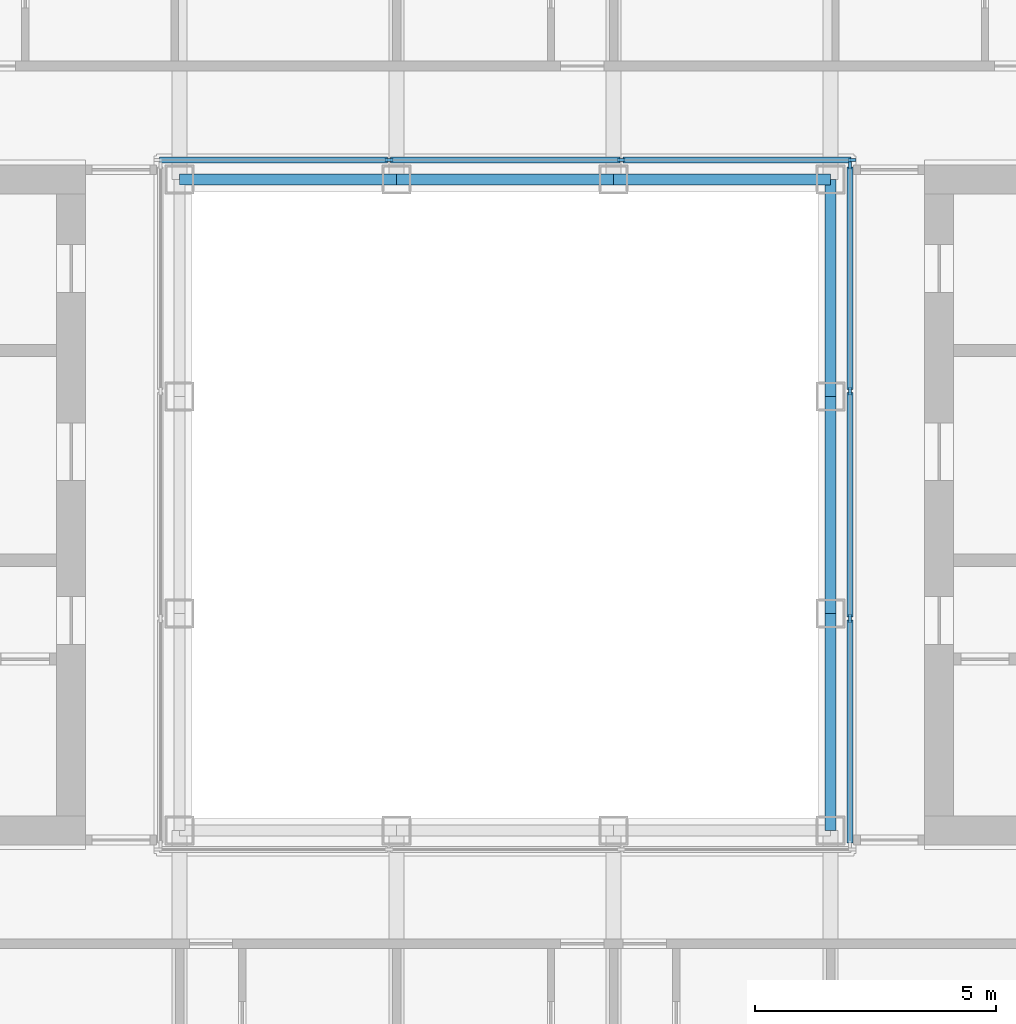
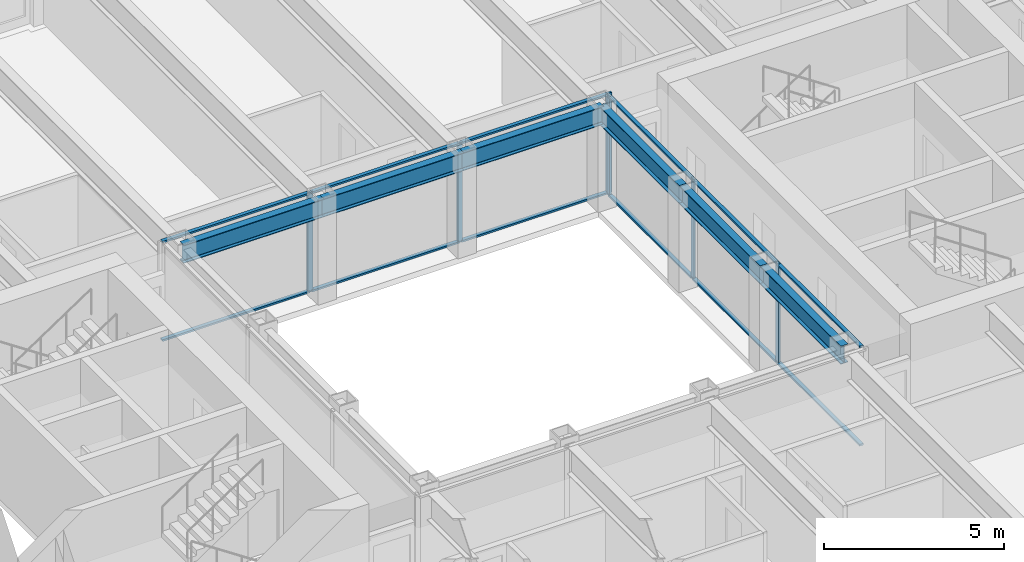
# One storey, part 5 of 17: 18 members, 6 beams, 2 elements without a shape of their own.
"""IFC4 building model written with IfcOpenShell, lengths in metres."""

from ifc_helpers import new_model, si_unit, direction, frame, origin, origin_2d, place, context, subcontext, project, spatial, rectangle, i_section, extrude, material, material_profile, profile_set, type_object, element, aggregate, save


model = new_model("IFC4")

# Units and contexts
model_context = context("Model", 3, precision=1e-05, world=origin(), true_north=direction((0.0, 1.0)))
body_context = subcontext(model_context, "Body", "Model", "MODEL_VIEW")
ifc_project = project(units=[si_unit("LENGTHUNIT", "METRE"), si_unit("AREAUNIT", "SQUARE_METRE"), si_unit("VOLUMEUNIT", "CUBIC_METRE"), si_unit("PLANEANGLEUNIT", "RADIAN"), si_unit("MASSUNIT", "GRAM", prefix="KILO")], contexts=[model_context])

# Site, building, storey
site_placement = place(None, origin())
site = spatial("IfcSite", under=ifc_project, at=site_placement, CompositionType="ELEMENT")
building_placement = place(site_placement, origin())
building = spatial("IfcBuilding", under=site, at=building_placement, Name="Msasa Ring Tower", CompositionType="ELEMENT")
storey_placement = place(building_placement, frame((0.0, 0.0, 150.800048828125)))
storey = spatial("IfcBuildingStorey", under=building, at=storey_placement, Name="L39", CompositionType="ELEMENT", Elevation=150.800048828125)

# Curtain wall, members
ifc_material_1 = material(Name="Aluminium curtain wall with clear glass", Category="aluminium")
curtain_wall_type = type_object("IfcCurtainWallType", Name="CW-W LIGHT WELL CURTAIN WALL", PredefinedType="NOTDEFINED", material=ifc_material_1)
curtain_wall_1_placement = place(storey_placement, origin())
curtain_wall_1 = element("IfcCurtainWall", 1, at=curtain_wall_1_placement, inside=storey, type_object=curtain_wall_type, Name="Light well curtain wall N L39", PredefinedType="NOTDEFINED")
ifc_material_2 = material(Name="Aluminium mullion", Category="aluminium")
ifc_material_profile_1 = material_profile(ifc_material_2, rectangle(XDim=0.06005859375, YDim=0.159912109375, at=origin_2d()), Name="AL 60x160")
ifc_profile_set_1 = profile_set([ifc_material_profile_1], Name="Aluminium mullion")
member_type_1 = type_object("IfcMemberType", Name="CW-W MULLION 60x160", PredefinedType="MULLION", material=ifc_profile_set_1)
member_1_placement = place(storey_placement, frame((-2.409912109375, 7.14990234375, 0.0), z_axis=(0.0, 0.0, 1.0), x_axis=(0.0, 1.0, 0.0)))
member_1 = element("IfcMember", 2, at=member_1_placement, type_object=member_type_1, Name="CW-W mullion 2", PredefinedType="MULLION", context=body_context, shape_type="SweptSolid", body=[
    extrude(rectangle(XDim=0.06005859375, YDim=0.159912109375, at=origin_2d()), origin(), (0.0, 0.0, 1.0), 3.39990234375),
])
member_2_placement = place(storey_placement, frame((2.409912109375, 7.14990234375, 0.0), z_axis=(0.0, 0.0, 1.0), x_axis=(0.0, 1.0, 0.0)))
member_2 = element("IfcMember", 3, at=member_2_placement, type_object=member_type_1, Name="CW-W mullion 3", PredefinedType="MULLION", context=body_context, shape_type="SweptSolid", body=[
    extrude(rectangle(XDim=0.06005859375, YDim=0.159912109375, at=origin_2d()), origin(), (0.0, 0.0, 1.0), 3.39990234375),
])
member_3_placement = place(storey_placement, frame((7.199951171875, 7.14990234375, 0.0), z_axis=(0.0, 0.0, 1.0), x_axis=(0.0, 1.0, 0.0)))
member_3 = element("IfcMember", 4, at=member_3_placement, type_object=member_type_1, Name="CW-W mullion 4", PredefinedType="MULLION", context=body_context, shape_type="SweptSolid", body=[
    extrude(rectangle(XDim=0.06005859375, YDim=0.159912109375, at=origin_2d()), origin(), (0.0, 0.0, 1.0), 3.39990234375),
])

curtain_wall_2_placement = place(storey_placement, origin())
curtain_wall_2 = element("IfcCurtainWall", 5, at=curtain_wall_2_placement, inside=storey, type_object=curtain_wall_type, Name="Light well curtain wall E L39", PredefinedType="NOTDEFINED")
member_4_placement = place(storey_placement, frame((7.14990234375, -2.356689453125, 0.0), z_axis=(0.0, 0.0, 1.0), x_axis=(-1.0, 0.0, 0.0)))
member_4 = element("IfcMember", 6, at=member_4_placement, type_object=member_type_1, Name="CW-W mullion 2", PredefinedType="MULLION", context=body_context, shape_type="SweptSolid", body=[
    extrude(rectangle(XDim=0.06005859375, YDim=0.159912109375, at=origin_2d()), origin(), (0.0, 0.0, 1.0), 3.39990234375),
])
member_5_placement = place(storey_placement, frame((7.14990234375, 2.356689453125, 0.0), z_axis=(0.0, 0.0, 1.0), x_axis=(-1.0, 0.0, 0.0)))
member_5 = element("IfcMember", 7, at=member_5_placement, type_object=member_type_1, Name="CW-W mullion 3", PredefinedType="MULLION", context=body_context, shape_type="SweptSolid", body=[
    extrude(rectangle(XDim=0.06005859375, YDim=0.159912109375, at=origin_2d()), origin(), (0.0, 0.0, 1.0), 3.39990234375),
])
member_6_placement = place(storey_placement, frame((7.14990234375, 7.0400390625, 0.0), z_axis=(0.0, 0.0, 1.0), x_axis=(-1.0, 0.0, 0.0)))
member_6 = element("IfcMember", 8, at=member_6_placement, type_object=member_type_1, Name="CW-W mullion 4", PredefinedType="MULLION", context=body_context, shape_type="SweptSolid", body=[
    extrude(rectangle(XDim=0.06005859375, YDim=0.159912109375, at=origin_2d()), origin(), (0.0, 0.0, 1.0), 3.39990234375),
])

# Member
ifc_material_3 = material(Name="Aluminium transom", Category="aluminium")
ifc_material_profile_2 = material_profile(ifc_material_3, rectangle(XDim=0.1201171875, YDim=0.06005859375, at=origin_2d()), Name="AL 60x120")
ifc_profile_set_2 = profile_set([ifc_material_profile_2], Name="Aluminium transom")
member_type_2 = type_object("IfcMemberType", Name="CW-W TRANSOM 60x120", PredefinedType="USERDEFINED", material=ifc_profile_set_2)
member_7_placement = place(storey_placement, frame((-7.169921875, 7.14990234375, 0.030029296875), z_axis=(1.0, 0.0, 0.0), x_axis=(0.0, 1.0, 0.0)))
member_7 = element("IfcMember", 9, at=member_7_placement, type_object=member_type_2, Name="CW-W transom 1.1", ObjectType="TRANSOM", PredefinedType="USERDEFINED", context=body_context, shape_type="SweptSolid", body=[
    extrude(rectangle(XDim=0.1201171875, YDim=0.06005859375, at=origin_2d()), origin(), (0.0, 0.0, 1.0), 4.72998046875),
])

member_8_placement = place(storey_placement, frame((-7.169921875, 7.14990234375, 3.369873046875), z_axis=(1.0, 0.0, 0.0), x_axis=(0.0, 1.0, 0.0)))
member_8 = element("IfcMember", 10, at=member_8_placement, type_object=member_type_2, Name="CW-W transom 1.2", ObjectType="TRANSOM", PredefinedType="USERDEFINED", context=body_context, shape_type="SweptSolid", body=[
    extrude(rectangle(XDim=0.1201171875, YDim=0.06005859375, at=origin_2d()), origin(), (0.0, 0.0, 1.0), 4.72998046875),
])

member_9_placement = place(storey_placement, frame((-2.3798828125, 7.14990234375, 0.030029296875), z_axis=(1.0, 0.0, 0.0), x_axis=(0.0, 1.0, 0.0)))
member_9 = element("IfcMember", 11, at=member_9_placement, type_object=member_type_2, Name="CW-W transom 2.1", ObjectType="TRANSOM", PredefinedType="USERDEFINED", context=body_context, shape_type="SweptSolid", body=[
    extrude(rectangle(XDim=0.1201171875, YDim=0.06005859375, at=origin_2d()), origin(), (0.0, 0.0, 1.0), 4.759765625),
])

member_10_placement = place(storey_placement, frame((-2.3798828125, 7.14990234375, 3.369873046875), z_axis=(1.0, 0.0, 0.0), x_axis=(0.0, 1.0, 0.0)))
member_10 = element("IfcMember", 12, at=member_10_placement, type_object=member_type_2, Name="CW-W transom 2.2", ObjectType="TRANSOM", PredefinedType="USERDEFINED", context=body_context, shape_type="SweptSolid", body=[
    extrude(rectangle(XDim=0.1201171875, YDim=0.06005859375, at=origin_2d()), origin(), (0.0, 0.0, 1.0), 4.759765625),
])

member_11_placement = place(storey_placement, frame((2.43994140625, 7.14990234375, 0.030029296875), z_axis=(1.0, 0.0, 0.0), x_axis=(0.0, 1.0, 0.0)))
member_11 = element("IfcMember", 13, at=member_11_placement, type_object=member_type_2, Name="CW-W transom 3.1", ObjectType="TRANSOM", PredefinedType="USERDEFINED", context=body_context, shape_type="SweptSolid", body=[
    extrude(rectangle(XDim=0.1201171875, YDim=0.06005859375, at=origin_2d()), origin(), (0.0, 0.0, 1.0), 4.72998046875),
])

member_12_placement = place(storey_placement, frame((2.43994140625, 7.14990234375, 3.369873046875), z_axis=(1.0, 0.0, 0.0), x_axis=(0.0, 1.0, 0.0)))
member_12 = element("IfcMember", 14, at=member_12_placement, type_object=member_type_2, Name="CW-W transom 3.2", ObjectType="TRANSOM", PredefinedType="USERDEFINED", context=body_context, shape_type="SweptSolid", body=[
    extrude(rectangle(XDim=0.1201171875, YDim=0.06005859375, at=origin_2d()), origin(), (0.0, 0.0, 1.0), 4.72998046875),
])

aggregate(curtain_wall_1, [member_1, member_2, member_3, member_7, member_8, member_9, member_10, member_11, member_12])

member_13_placement = place(storey_placement, frame((7.14990234375, -7.010009765625, 0.030029296875), z_axis=(0.0, 1.0, 0.0), x_axis=(-1.0, 0.0, 0.0)))
member_13 = element("IfcMember", 15, at=member_13_placement, type_object=member_type_2, Name="CW-W transom 1.1", ObjectType="TRANSOM", PredefinedType="USERDEFINED", context=body_context, shape_type="SweptSolid", body=[
    extrude(rectangle(XDim=0.1201171875, YDim=0.06005859375, at=origin_2d()), origin(), (0.0, 0.0, 1.0), 4.623291015625),
])

member_14_placement = place(storey_placement, frame((7.14990234375, -7.010009765625, 3.369873046875), z_axis=(0.0, 1.0, 0.0), x_axis=(-1.0, 0.0, 0.0)))
member_14 = element("IfcMember", 16, at=member_14_placement, type_object=member_type_2, Name="CW-W transom 1.2", ObjectType="TRANSOM", PredefinedType="USERDEFINED", context=body_context, shape_type="SweptSolid", body=[
    extrude(rectangle(XDim=0.1201171875, YDim=0.06005859375, at=origin_2d()), origin(), (0.0, 0.0, 1.0), 4.623291015625),
])

member_15_placement = place(storey_placement, frame((7.14990234375, -2.32666015625, 0.030029296875), z_axis=(0.0, 1.0, 0.0), x_axis=(-1.0, 0.0, 0.0)))
member_15 = element("IfcMember", 17, at=member_15_placement, type_object=member_type_2, Name="CW-W transom 2.1", ObjectType="TRANSOM", PredefinedType="USERDEFINED", context=body_context, shape_type="SweptSolid", body=[
    extrude(rectangle(XDim=0.1201171875, YDim=0.06005859375, at=origin_2d()), origin(), (0.0, 0.0, 1.0), 4.6533203125),
])

member_16_placement = place(storey_placement, frame((7.14990234375, -2.32666015625, 3.369873046875), z_axis=(0.0, 1.0, 0.0), x_axis=(-1.0, 0.0, 0.0)))
member_16 = element("IfcMember", 18, at=member_16_placement, type_object=member_type_2, Name="CW-W transom 2.2", ObjectType="TRANSOM", PredefinedType="USERDEFINED", context=body_context, shape_type="SweptSolid", body=[
    extrude(rectangle(XDim=0.1201171875, YDim=0.06005859375, at=origin_2d()), origin(), (0.0, 0.0, 1.0), 4.6533203125),
])

member_17_placement = place(storey_placement, frame((7.14990234375, 2.38671875, 0.030029296875), z_axis=(0.0, 1.0, 0.0), x_axis=(-1.0, 0.0, 0.0)))
member_17 = element("IfcMember", 19, at=member_17_placement, type_object=member_type_2, Name="CW-W transom 3.1", ObjectType="TRANSOM", PredefinedType="USERDEFINED", context=body_context, shape_type="SweptSolid", body=[
    extrude(rectangle(XDim=0.1201171875, YDim=0.06005859375, at=origin_2d()), origin(), (0.0, 0.0, 1.0), 4.623291015625),
])

member_18_placement = place(storey_placement, frame((7.14990234375, 2.38671875, 3.369873046875), z_axis=(0.0, 1.0, 0.0), x_axis=(-1.0, 0.0, 0.0)))
member_18 = element("IfcMember", 20, at=member_18_placement, type_object=member_type_2, Name="CW-W transom 3.2", ObjectType="TRANSOM", PredefinedType="USERDEFINED", context=body_context, shape_type="SweptSolid", body=[
    extrude(rectangle(XDim=0.1201171875, YDim=0.06005859375, at=origin_2d()), origin(), (0.0, 0.0, 1.0), 4.623291015625),
])

aggregate(curtain_wall_2, [member_4, member_5, member_6, member_13, member_14, member_15, member_16, member_17, member_18])

# Beams
ifc_material_4 = material(Name="Steel S355", Category="steel")
ifc_material_profile_3 = material_profile(ifc_material_4, i_section(OverallWidth=0.230224609375, OverallDepth=0.6171875, WebThickness=0.01318359375, FlangeThickness=0.022216796875, FilletRadius=0.0126953125, at=origin_2d()), Name="UB 610x229x140")
ifc_profile_set_3 = profile_set([ifc_material_profile_3], Name="Steel S355")
beam_type = type_object("IfcBeamType", Name="RB1 UB 610x229x140", PredefinedType="BEAM", material=ifc_profile_set_3)
for number, where, z_axis, x_axis, name in (
    (21, (6.75, -6.75, 3.09130859375), (0.0, 1.0, 0.0), (-1.0, 0.0, 0.0), "Inner ring beam IR+6.75-6.75 under L40"),
    (22, (6.75, -2.25, 3.09130859375), (0.0, 1.0, 0.0), (-1.0, 0.0, 0.0), "Inner ring beam IR+6.75-2.25 under L40"),
    (23, (6.75, 2.25, 3.09130859375), (0.0, 1.0, 0.0), (-1.0, 0.0, 0.0), "Inner ring beam IR+6.75+2.25 under L40"),
    (24, (6.75, 6.75, 3.09130859375), (-1.0, 0.0, 0.0), (0.0, -1.0, 0.0), "Inner ring beam IR+6.75+6.75 under L40"),
    (25, (2.25, 6.75, 3.09130859375), (-1.0, 0.0, 0.0), (0.0, -1.0, 0.0), "Inner ring beam IR+2.25+6.75 under L40"),
    (26, (-2.25, 6.75, 3.09130859375), (-1.0, 0.0, 0.0), (0.0, -1.0, 0.0), "Inner ring beam IR-2.25+6.75 under L40"),
):
    element("IfcBeam", number, at=place(storey_placement, frame(where, z_axis=z_axis, x_axis=x_axis)), inside=storey, type_object=beam_type, Name=name, PredefinedType="BEAM", context=body_context, shape_type="SweptSolid", body=[
        extrude(i_section(OverallWidth=0.230224609375, OverallDepth=0.6171875, WebThickness=0.01318359375, FlangeThickness=0.022216796875, FilletRadius=0.0126953125, at=origin_2d()), origin(), (0.0, 0.0, 1.0), 4.5),
    ])

save(model, "model.ifc")
